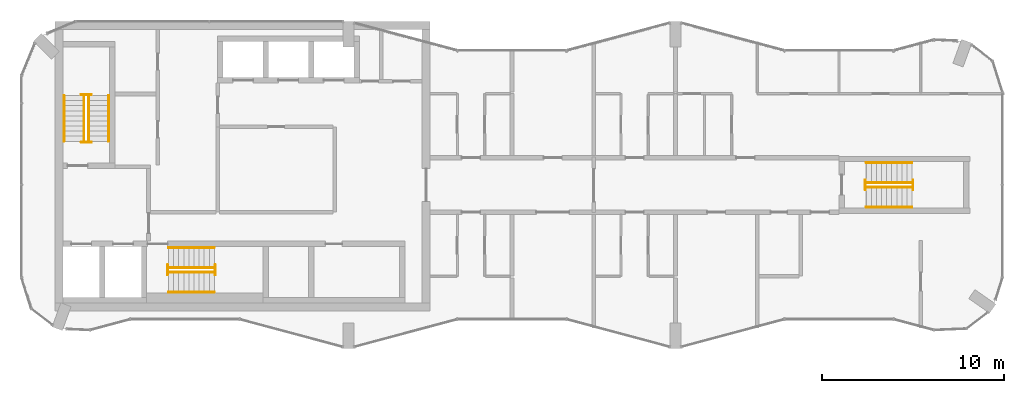
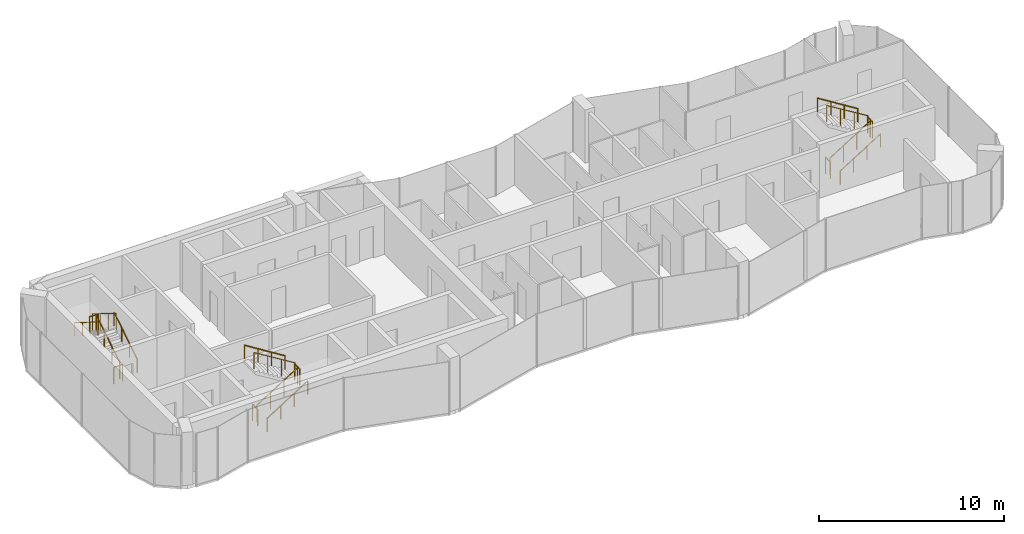
# One storey, part 10 of 10: 18 railings.
"""IFC4 building model written with IfcOpenShell, lengths in metres."""

from ifc_helpers import new_model, si_unit, direction, frame, origin, origin_2d, place, context, subcontext, project, spatial, circle, extrude, material, type_object, element, save


model = new_model("IFC4")

# Units and contexts
model_context = context("Model", 3, precision=1e-05, world=origin(), true_north=direction((0.0, 1.0)))
body_context = subcontext(model_context, "Body", "Model", "MODEL_VIEW")
ifc_project = project(units=[si_unit("LENGTHUNIT", "METRE"), si_unit("AREAUNIT", "SQUARE_METRE"), si_unit("VOLUMEUNIT", "CUBIC_METRE"), si_unit("PLANEANGLEUNIT", "RADIAN"), si_unit("MASSUNIT", "GRAM", prefix="KILO")], contexts=[model_context])

# Site, building, storey
site_placement = place(None, origin())
site = spatial("IfcSite", under=ifc_project, at=site_placement, CompositionType="ELEMENT")
building_placement = place(site_placement, origin())
building = spatial("IfcBuilding", under=site, at=building_placement, Name="Plateau Cross Towers", CompositionType="ELEMENT")
storey_placement = place(building_placement, frame((0.0, 0.0, 256.39990234375)))
storey = spatial("IfcBuildingStorey", under=building, at=storey_placement, Name="L67", CompositionType="ELEMENT", Elevation=256.39990234375)

# Railings
ifc_material_1 = material(Name="Stainless steel and toughened glass", Category="steel")
railing_type_1 = type_object("IfcRailingType", Name="RL-GUARD-1100", PredefinedType="GUARDRAIL", material=ifc_material_1)
railing_1_placement = place(storey_placement, frame((3.699951171875, 11.39990234375, 0.175048828125)))
element("IfcRailing", 1, at=railing_1_placement, inside=storey, type_object=railing_type_1, Name="L67 ST-1 stair guard 1", PredefinedType="GUARDRAIL", context=body_context, shape_type="SweptSolid", body=[
    extrude(circle(Radius=0.02392578125, at=origin_2d()), frame((0.0, 0.0, 1.076171875), z_axis=(0.0, 0.848007534815, 0.529984170421), x_axis=(-1.0, 0.0, 0.0)), (0.0, 0.0, 1.0), 2.9716796875),
    extrude(circle(Radius=0.02099609375, at=origin_2d()), origin(), (0.0, 0.0, 1.0), 1.052001953125),
    extrude(circle(Radius=0.02099609375, at=origin_2d()), frame((0.0, 0.840087890625, 0.52490234375)), (0.0, 0.0, 1.0), 1.052001953125),
    extrude(circle(Radius=0.02099609375, at=origin_2d()), frame((0.0, 1.679931640625, 1.050048828125)), (0.0, 0.0, 1.0), 1.052001953125),
    extrude(circle(Radius=0.02099609375, at=origin_2d()), frame((0.0, 2.52001953125, 1.574951171875)), (0.0, 0.0, 1.0), 1.052001953125),
])
railing_2_placement = place(storey_placement, frame((3.85009765625, 13.969970703125, 1.75)))
element("IfcRailing", 2, at=railing_2_placement, inside=storey, type_object=railing_type_1, Name="L67 ST-1 stair guard 2", PredefinedType="GUARDRAIL", context=body_context, shape_type="SweptSolid", body=[
    extrude(circle(Radius=0.02392578125, at=origin_2d()), frame((0.0, 0.0, 1.076171875), z_axis=(-1.0, 0.0, 0.0), x_axis=(0.0, -1.0, 0.0)), (0.0, 0.0, 1.0), 0.550048828125),
    extrude(circle(Radius=0.02099609375, at=origin_2d()), origin(), (0.0, 0.0, 1.0), 1.052001953125),
    extrude(circle(Radius=0.02099609375, at=origin_2d()), frame((-0.550048828125, 0.0, 0.0)), (0.0, 0.0, 1.0), 1.052001953125),
])
railing_3_placement = place(storey_placement, frame((3.449951171875, 13.919921875, 1.925048828125)))
element("IfcRailing", 3, at=railing_3_placement, inside=storey, type_object=railing_type_1, Name="L67 ST-1 stair guard 3", PredefinedType="GUARDRAIL", context=body_context, shape_type="SweptSolid", body=[
    extrude(circle(Radius=0.02392578125, at=origin_2d()), frame((0.0, 0.0, 1.076171875), z_axis=(0.0, -0.852616386126, 0.522537365276), x_axis=(1.0, 0.0, 0.0)), (0.0, 0.0, 1.0), 3.01416015625),
    extrude(circle(Radius=0.02099609375, at=origin_2d()), origin(), (0.0, 0.0, 1.0), 1.052001953125),
    extrude(circle(Radius=0.02099609375, at=origin_2d()), frame((0.0, -0.856689453125, 0.52490234375)), (0.0, 0.0, 1.0), 1.052001953125),
    extrude(circle(Radius=0.02099609375, at=origin_2d()), frame((0.0, -1.713134765625, 1.050048828125)), (0.0, 0.0, 1.0), 1.052001953125),
    extrude(circle(Radius=0.02099609375, at=origin_2d()), frame((0.0, -2.56982421875, 1.574951171875)), (0.0, 0.0, 1.0), 1.052001953125),
])
railing_4_placement = place(storey_placement, frame((3.85009765625, 11.35009765625, 0.0)))
element("IfcRailing", 4, at=railing_4_placement, inside=storey, type_object=railing_type_1, Name="L67 ST-1 stair guard 4", PredefinedType="GUARDRAIL", context=body_context, shape_type="SweptSolid", body=[
    extrude(circle(Radius=0.02392578125, at=origin_2d()), frame((0.0, 0.0, 1.076171875), z_axis=(-1.0, 0.0, 0.0), x_axis=(0.0, -1.0, 0.0)), (0.0, 0.0, 1.0), 0.550048828125),
    extrude(circle(Radius=0.02099609375, at=origin_2d()), origin(), (0.0, 0.0, 1.0), 1.052001953125),
    extrude(circle(Radius=0.02099609375, at=origin_2d()), frame((-0.550048828125, 0.0, 0.0)), (0.0, 0.0, 1.0), 1.052001953125),
])
railing_5_placement = place(storey_placement, frame((8.10009765625, 4.199951171875, 0.175048828125)))
element("IfcRailing", 5, at=railing_5_placement, inside=storey, type_object=railing_type_1, Name="L67 ST-2 stair guard 1", PredefinedType="GUARDRAIL", context=body_context, shape_type="SweptSolid", body=[
    extrude(circle(Radius=0.02392578125, at=origin_2d()), frame((0.0, 0.0, 1.076171875), z_axis=(0.848007534815, 0.0, 0.529984170421), x_axis=(0.0, 1.0, 0.0)), (0.0, 0.0, 1.0), 2.9716796875),
    extrude(circle(Radius=0.02099609375, at=origin_2d()), origin(), (0.0, 0.0, 1.0), 1.052001953125),
    extrude(circle(Radius=0.02099609375, at=origin_2d()), frame((0.840087890625, 0.0, 0.52490234375)), (0.0, 0.0, 1.0), 1.052001953125),
    extrude(circle(Radius=0.02099609375, at=origin_2d()), frame((1.679931640625, 0.0, 1.050048828125)), (0.0, 0.0, 1.0), 1.052001953125),
    extrude(circle(Radius=0.02099609375, at=origin_2d()), frame((2.52001953125, 0.0, 1.574951171875)), (0.0, 0.0, 1.0), 1.052001953125),
])
railing_6_placement = place(storey_placement, frame((10.669921875, 4.050048828125, 1.75)))
element("IfcRailing", 6, at=railing_6_placement, inside=storey, type_object=railing_type_1, Name="L67 ST-2 stair guard 2", PredefinedType="GUARDRAIL", context=body_context, shape_type="SweptSolid", body=[
    extrude(circle(Radius=0.02392578125, at=origin_2d()), frame((0.0, 0.0, 1.076171875), z_axis=(0.0, 1.0, 0.0), x_axis=(-1.0, 0.0, 0.0)), (0.0, 0.0, 1.0), 0.550048828125),
    extrude(circle(Radius=0.02099609375, at=origin_2d()), origin(), (0.0, 0.0, 1.0), 1.052001953125),
    extrude(circle(Radius=0.02099609375, at=origin_2d()), frame((0.0, 0.550048828125, 0.0)), (0.0, 0.0, 1.0), 1.052001953125),
])
railing_7_placement = place(storey_placement, frame((10.6201171875, 4.449951171875, 1.925048828125)))
element("IfcRailing", 7, at=railing_7_placement, inside=storey, type_object=railing_type_1, Name="L67 ST-2 stair guard 3", PredefinedType="GUARDRAIL", context=body_context, shape_type="SweptSolid", body=[
    extrude(circle(Radius=0.02392578125, at=origin_2d()), frame((0.0, 0.0, 1.076171875), z_axis=(-0.852638500773, 0.0, 0.522501279423), x_axis=(0.0, -1.0, 0.0)), (0.0, 0.0, 1.0), 3.01416015625),
    extrude(circle(Radius=0.02099609375, at=origin_2d()), origin(), (0.0, 0.0, 1.0), 1.052001953125),
    extrude(circle(Radius=0.02099609375, at=origin_2d()), frame((-0.856689453125, 0.0, 0.52490234375)), (0.0, 0.0, 1.0), 1.052001953125),
    extrude(circle(Radius=0.02099609375, at=origin_2d()), frame((-1.71337890625, 0.0, 1.050048828125)), (0.0, 0.0, 1.0), 1.052001953125),
    extrude(circle(Radius=0.02099609375, at=origin_2d()), frame((-2.570068359375, 0.0, 1.574951171875)), (0.0, 0.0, 1.0), 1.052001953125),
])
railing_8_placement = place(storey_placement, frame((8.050048828125, 4.050048828125, 0.0)))
element("IfcRailing", 8, at=railing_8_placement, inside=storey, type_object=railing_type_1, Name="L67 ST-2 stair guard 4", PredefinedType="GUARDRAIL", context=body_context, shape_type="SweptSolid", body=[
    extrude(circle(Radius=0.02392578125, at=origin_2d()), frame((0.0, 0.0, 1.076171875), z_axis=(0.0, 1.0, 0.0), x_axis=(-1.0, 0.0, 0.0)), (0.0, 0.0, 1.0), 0.550048828125),
    extrude(circle(Radius=0.02099609375, at=origin_2d()), origin(), (0.0, 0.0, 1.0), 1.052001953125),
    extrude(circle(Radius=0.02099609375, at=origin_2d()), frame((0.0, 0.550048828125, 0.0)), (0.0, 0.0, 1.0), 1.052001953125),
])
railing_9_placement = place(storey_placement, frame((46.5, 8.875, 0.175048828125)))
element("IfcRailing", 9, at=railing_9_placement, inside=storey, type_object=railing_type_1, Name="L67 ES-E stair guard 1", PredefinedType="GUARDRAIL", context=body_context, shape_type="SweptSolid", body=[
    extrude(circle(Radius=0.02392578125, at=origin_2d()), frame((0.0, 0.0, 1.076171875), z_axis=(0.848007534815, 0.0, 0.529984170421), x_axis=(0.0, 1.0, 0.0)), (0.0, 0.0, 1.0), 2.9716796875),
    extrude(circle(Radius=0.02099609375, at=origin_2d()), origin(), (0.0, 0.0, 1.0), 1.052001953125),
    extrude(circle(Radius=0.02099609375, at=origin_2d()), frame((0.840087890625, 0.0, 0.52490234375)), (0.0, 0.0, 1.0), 1.052001953125),
    extrude(circle(Radius=0.02099609375, at=origin_2d()), frame((1.679931640625, 0.0, 1.050048828125)), (0.0, 0.0, 1.0), 1.052001953125),
    extrude(circle(Radius=0.02099609375, at=origin_2d()), frame((2.52001953125, 0.0, 1.574951171875)), (0.0, 0.0, 1.0), 1.052001953125),
])
railing_10_placement = place(storey_placement, frame((49.070068359375, 8.72509765625, 1.75)))
element("IfcRailing", 10, at=railing_10_placement, inside=storey, type_object=railing_type_1, Name="L67 ES-E stair guard 2", PredefinedType="GUARDRAIL", context=body_context, shape_type="SweptSolid", body=[
    extrude(circle(Radius=0.02392578125, at=origin_2d()), frame((0.0, 0.0, 1.076171875), z_axis=(0.0, 1.0, 0.0), x_axis=(-1.0, 0.0, 0.0)), (0.0, 0.0, 1.0), 0.5498046875),
    extrude(circle(Radius=0.02099609375, at=origin_2d()), origin(), (0.0, 0.0, 1.0), 1.052001953125),
    extrude(circle(Radius=0.02099609375, at=origin_2d()), frame((0.0, 0.5498046875, 0.0)), (0.0, 0.0, 1.0), 1.052001953125),
])
railing_11_placement = place(storey_placement, frame((49.02001953125, 9.125, 1.925048828125)))
element("IfcRailing", 11, at=railing_11_placement, inside=storey, type_object=railing_type_1, Name="L67 ES-E stair guard 3", PredefinedType="GUARDRAIL", context=body_context, shape_type="SweptSolid", body=[
    extrude(circle(Radius=0.02392578125, at=origin_2d()), frame((0.0, 0.0, 1.076171875), z_axis=(-0.852638500773, 0.0, 0.522501279423), x_axis=(0.0, -1.0, 0.0)), (0.0, 0.0, 1.0), 3.01416015625),
    extrude(circle(Radius=0.02099609375, at=origin_2d()), origin(), (0.0, 0.0, 1.0), 1.052001953125),
    extrude(circle(Radius=0.02099609375, at=origin_2d()), frame((-0.856689453125, 0.0, 0.52490234375)), (0.0, 0.0, 1.0), 1.052001953125),
    extrude(circle(Radius=0.02099609375, at=origin_2d()), frame((-1.71337890625, 0.0, 1.050048828125)), (0.0, 0.0, 1.0), 1.052001953125),
    extrude(circle(Radius=0.02099609375, at=origin_2d()), frame((-2.570068359375, 0.0, 1.574951171875)), (0.0, 0.0, 1.0), 1.052001953125),
])
railing_12_placement = place(storey_placement, frame((46.449951171875, 8.72509765625, 0.0)))
element("IfcRailing", 12, at=railing_12_placement, inside=storey, type_object=railing_type_1, Name="L67 ES-E stair guard 4", PredefinedType="GUARDRAIL", context=body_context, shape_type="SweptSolid", body=[
    extrude(circle(Radius=0.02392578125, at=origin_2d()), frame((0.0, 0.0, 1.076171875), z_axis=(0.0, 1.0, 0.0), x_axis=(-1.0, 0.0, 0.0)), (0.0, 0.0, 1.0), 0.5498046875),
    extrude(circle(Radius=0.02099609375, at=origin_2d()), origin(), (0.0, 0.0, 1.0), 1.052001953125),
    extrude(circle(Radius=0.02099609375, at=origin_2d()), frame((0.0, 0.5498046875, 0.0)), (0.0, 0.0, 1.0), 1.052001953125),
])
ifc_material_2 = material(Name="Black anodised aluminium", Category="aluminium")
railing_type_2 = type_object("IfcRailingType", Name="RL-HANDRAIL-900", PredefinedType="HANDRAIL", material=ifc_material_2)
railing_13_placement = place(storey_placement, frame((4.800048828125, 11.39990234375, 0.175048828125)))
element("IfcRailing", 13, at=railing_13_placement, inside=storey, type_object=railing_type_2, Name="L67 ST-1 stair handrail 1", PredefinedType="HANDRAIL", context=body_context, shape_type="SweptSolid", body=[
    extrude(circle(Radius=0.02392578125, at=origin_2d()), frame((0.0, 0.0, 0.8759765625), z_axis=(0.0, 0.848007534815, 0.529984170421), x_axis=(-1.0, 0.0, 0.0)), (0.0, 0.0, 1.0), 2.9716796875),
    extrude(circle(Radius=0.02099609375, at=origin_2d()), origin(), (0.0, 0.0, 1.0), 0.851806640625),
    extrude(circle(Radius=0.02099609375, at=origin_2d()), frame((0.0, 0.840087890625, 0.52490234375)), (0.0, 0.0, 1.0), 0.851806640625),
    extrude(circle(Radius=0.02099609375, at=origin_2d()), frame((0.0, 1.679931640625, 1.050048828125)), (0.0, 0.0, 1.0), 0.851806640625),
    extrude(circle(Radius=0.02099609375, at=origin_2d()), frame((0.0, 2.52001953125, 1.574951171875)), (0.0, 0.0, 1.0), 0.851806640625),
])
railing_14_placement = place(storey_placement, frame((2.35009765625, 13.919921875, 1.925048828125)))
element("IfcRailing", 14, at=railing_14_placement, inside=storey, type_object=railing_type_2, Name="L67 ST-1 stair handrail 2", PredefinedType="HANDRAIL", context=body_context, shape_type="SweptSolid", body=[
    extrude(circle(Radius=0.02392578125, at=origin_2d()), frame((0.0, 0.0, 0.8759765625), z_axis=(0.0, -0.848007534815, 0.529984170421), x_axis=(1.0, 0.0, 0.0)), (0.0, 0.0, 1.0), 2.9716796875),
    extrude(circle(Radius=0.02099609375, at=origin_2d()), origin(), (0.0, 0.0, 1.0), 0.851806640625),
    extrude(circle(Radius=0.02099609375, at=origin_2d()), frame((0.0, -0.840087890625, 0.52490234375)), (0.0, 0.0, 1.0), 0.851806640625),
    extrude(circle(Radius=0.02099609375, at=origin_2d()), frame((0.0, -1.679931640625, 1.050048828125)), (0.0, 0.0, 1.0), 0.851806640625),
    extrude(circle(Radius=0.02099609375, at=origin_2d()), frame((0.0, -2.52001953125, 1.574951171875)), (0.0, 0.0, 1.0), 0.851806640625),
])
railing_15_placement = place(storey_placement, frame((8.10009765625, 3.10009765625, 0.175048828125)))
element("IfcRailing", 15, at=railing_15_placement, inside=storey, type_object=railing_type_2, Name="L67 ST-2 stair handrail 1", PredefinedType="HANDRAIL", context=body_context, shape_type="SweptSolid", body=[
    extrude(circle(Radius=0.02392578125, at=origin_2d()), frame((0.0, 0.0, 0.8759765625), z_axis=(0.848007534815, 0.0, 0.529984170421), x_axis=(0.0, 1.0, 0.0)), (0.0, 0.0, 1.0), 2.9716796875),
    extrude(circle(Radius=0.02099609375, at=origin_2d()), origin(), (0.0, 0.0, 1.0), 0.851806640625),
    extrude(circle(Radius=0.02099609375, at=origin_2d()), frame((0.840087890625, 0.0, 0.52490234375)), (0.0, 0.0, 1.0), 0.851806640625),
    extrude(circle(Radius=0.02099609375, at=origin_2d()), frame((1.679931640625, 0.0, 1.050048828125)), (0.0, 0.0, 1.0), 0.851806640625),
    extrude(circle(Radius=0.02099609375, at=origin_2d()), frame((2.52001953125, 0.0, 1.574951171875)), (0.0, 0.0, 1.0), 0.851806640625),
])
railing_16_placement = place(storey_placement, frame((10.6201171875, 5.550048828125, 1.925048828125)))
element("IfcRailing", 16, at=railing_16_placement, inside=storey, type_object=railing_type_2, Name="L67 ST-2 stair handrail 2", PredefinedType="HANDRAIL", context=body_context, shape_type="SweptSolid", body=[
    extrude(circle(Radius=0.02392578125, at=origin_2d()), frame((0.0, 0.0, 0.8759765625), z_axis=(-0.848007534815, 0.0, 0.529984170421), x_axis=(0.0, -1.0, 0.0)), (0.0, 0.0, 1.0), 2.9716796875),
    extrude(circle(Radius=0.02099609375, at=origin_2d()), origin(), (0.0, 0.0, 1.0), 0.851806640625),
    extrude(circle(Radius=0.02099609375, at=origin_2d()), frame((-0.840087890625, 0.0, 0.52490234375)), (0.0, 0.0, 1.0), 0.851806640625),
    extrude(circle(Radius=0.02099609375, at=origin_2d()), frame((-1.679931640625, 0.0, 1.050048828125)), (0.0, 0.0, 1.0), 0.851806640625),
    extrude(circle(Radius=0.02099609375, at=origin_2d()), frame((-2.52001953125, 0.0, 1.574951171875)), (0.0, 0.0, 1.0), 0.851806640625),
])
railing_17_placement = place(storey_placement, frame((46.5, 7.77490234375, 0.175048828125)))
element("IfcRailing", 17, at=railing_17_placement, inside=storey, type_object=railing_type_2, Name="L67 ES-E stair handrail 1", PredefinedType="HANDRAIL", context=body_context, shape_type="SweptSolid", body=[
    extrude(circle(Radius=0.02392578125, at=origin_2d()), frame((0.0, 0.0, 0.8759765625), z_axis=(0.848007534815, 0.0, 0.529984170421), x_axis=(0.0, 1.0, 0.0)), (0.0, 0.0, 1.0), 2.9716796875),
    extrude(circle(Radius=0.02099609375, at=origin_2d()), origin(), (0.0, 0.0, 1.0), 0.851806640625),
    extrude(circle(Radius=0.02099609375, at=origin_2d()), frame((0.840087890625, 0.0, 0.52490234375)), (0.0, 0.0, 1.0), 0.851806640625),
    extrude(circle(Radius=0.02099609375, at=origin_2d()), frame((1.679931640625, 0.0, 1.050048828125)), (0.0, 0.0, 1.0), 0.851806640625),
    extrude(circle(Radius=0.02099609375, at=origin_2d()), frame((2.52001953125, 0.0, 1.574951171875)), (0.0, 0.0, 1.0), 0.851806640625),
])
railing_18_placement = place(storey_placement, frame((49.02001953125, 10.22509765625, 1.925048828125)))
element("IfcRailing", 18, at=railing_18_placement, inside=storey, type_object=railing_type_2, Name="L67 ES-E stair handrail 2", PredefinedType="HANDRAIL", context=body_context, shape_type="SweptSolid", body=[
    extrude(circle(Radius=0.02392578125, at=origin_2d()), frame((0.0, 0.0, 0.8759765625), z_axis=(-0.848007534815, 0.0, 0.529984170421), x_axis=(0.0, -1.0, 0.0)), (0.0, 0.0, 1.0), 2.9716796875),
    extrude(circle(Radius=0.02099609375, at=origin_2d()), origin(), (0.0, 0.0, 1.0), 0.851806640625),
    extrude(circle(Radius=0.02099609375, at=origin_2d()), frame((-0.840087890625, 0.0, 0.52490234375)), (0.0, 0.0, 1.0), 0.851806640625),
    extrude(circle(Radius=0.02099609375, at=origin_2d()), frame((-1.679931640625, 0.0, 1.050048828125)), (0.0, 0.0, 1.0), 0.851806640625),
    extrude(circle(Radius=0.02099609375, at=origin_2d()), frame((-2.52001953125, 0.0, 1.574951171875)), (0.0, 0.0, 1.0), 0.851806640625),
])

save(model, "model.ifc")
